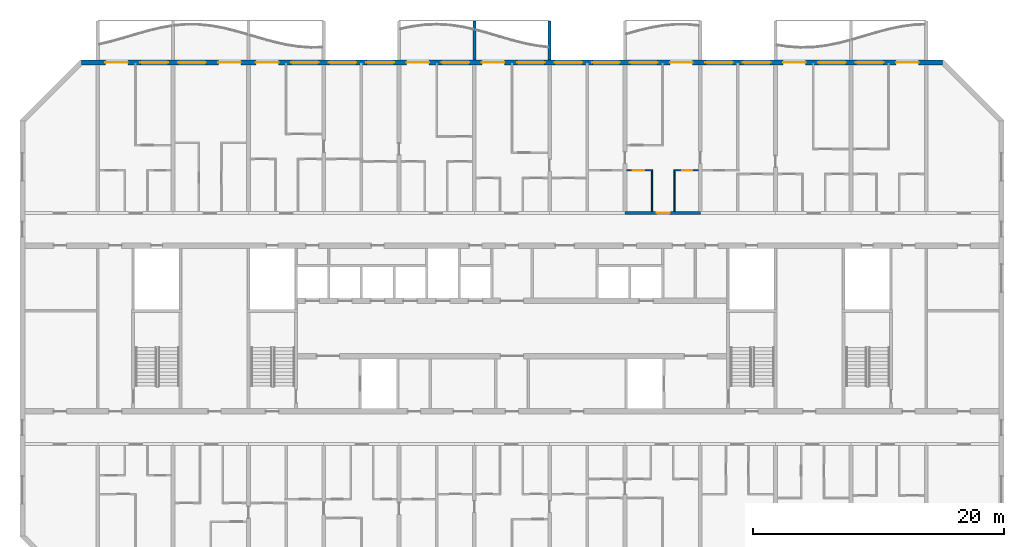
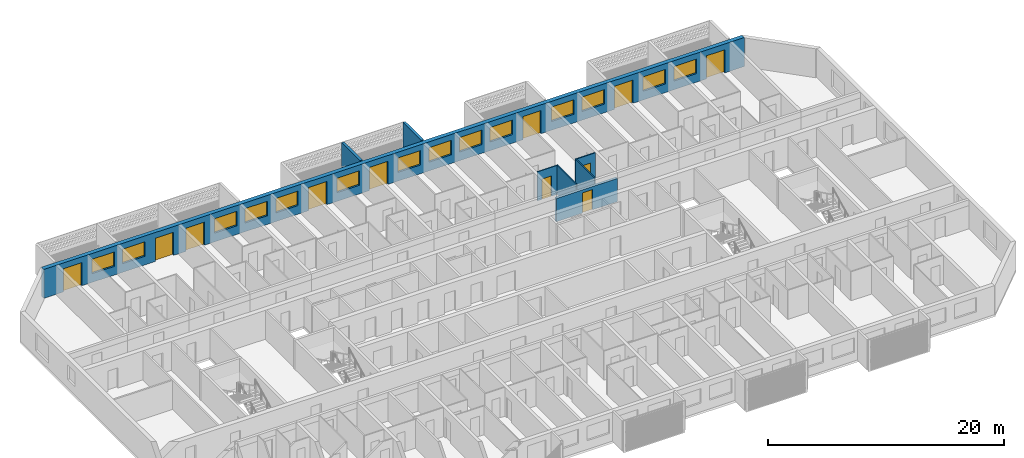
# One storey, part 10 of 32: 14 windows, 11 doors, 8 walls, 25 openings.
"""IFC4 building model written with IfcOpenShell, lengths in metres."""

import ifcopenshell
import ifcopenshell.guid

model = None  # the IFC model being written
_history = None  # IfcOwnerHistory: only IFC2X3 demands one
_inside = {}  # id of a spatial element -> (the spatial element, [elements in it])
_under = {}  # id of a project, library or spatial element -> (it, [spatial elements below it])
_declared = {}  # id of a project -> (the project, [libraries it declares])
_typed = {}  # id of a type object -> (the type object, [elements of that type])
_made_of = {}  # id of a material, layer set ... -> (it, [elements and type objects made of it])


def new_model(schema):
    """Start an empty IFC model of exactly this schema.

    Asked for "IFC4X3", IfcOpenShell would pick the latest addendum, in which some entities
    have other attributes; the version numbers below select the first issue.
    IFC2X3 requires an IfcOwnerHistory on every rooted entity: one is made here for all.
    """
    global model, _history
    if schema == "IFC4X3":
        model = ifcopenshell.file(schema_version=(4, 3, 0, 0))
    else:
        model = ifcopenshell.file(schema=schema)
    _inside.clear()
    _under.clear()
    _declared.clear()
    _typed.clear()
    _made_of.clear()
    _history = None
    if model.schema == "IFC2X3":
        org = make("IfcOrganization", Name="unknown")
        user = make(
            "IfcPersonAndOrganization",
            ThePerson=make("IfcPerson", FamilyName="unknown"),
            TheOrganization=org,
        )
        app = make(
            "IfcApplication",
            ApplicationDeveloper=org,
            Version="unknown",
            ApplicationFullName="unknown",
            ApplicationIdentifier="unknown",
        )
        _history = make(
            "IfcOwnerHistory",
            OwningUser=user,
            OwningApplication=app,
            ChangeAction="ADDED",
            CreationDate=0,
        )
    return model


def make(cls, **values):
    """One entity of the class cls with the attributes given. An attribute that is None is left unset."""
    return model.create_entity(
        cls, **{name: value for name, value in values.items() if value is not None}
    )


def rooted(cls, **values):
    """An entity with a GlobalId (a new one), such as an element, a storey or a relation."""
    return make(cls, GlobalId=ifcopenshell.guid.new(), OwnerHistory=_history, **values)


def si_unit(unit_type, name, prefix=None):
    """IfcSIUnit, for example si_unit("LENGTHUNIT", "METRE", prefix="MILLI")."""
    return make("IfcSIUnit", UnitType=unit_type, Prefix=prefix, Name=name)


def assignment(units):
    """IfcUnitAssignment: the units of a project."""
    return None if units is None else make("IfcUnitAssignment", Units=units)


def point(xyz):
    """IfcCartesianPoint."""
    return None if xyz is None else make("IfcCartesianPoint", Coordinates=xyz)


def direction(xyz):
    """IfcDirection."""
    return None if xyz is None else make("IfcDirection", DirectionRatios=xyz)


def frame(location, z_axis=None, x_axis=None):
    """IfcAxis2Placement3D, a coordinate frame: its origin and axes. An axis left out is left unset."""
    return make(
        "IfcAxis2Placement3D",
        Location=point(location),
        Axis=direction(z_axis),
        RefDirection=direction(x_axis),
    )


def frame_2d(location, x_axis=None):
    """IfcAxis2Placement2D, a coordinate frame in the plane: its origin and x axis."""
    return make(
        "IfcAxis2Placement2D", Location=point(location), RefDirection=direction(x_axis)
    )


def origin():
    """The frame at (0, 0, 0) with its axes left unset."""
    return frame((0.0, 0.0, 0.0))


def place(relative_to, where):
    """IfcLocalPlacement: puts the frame where relative to a parent placement (None: the world)."""
    return make(
        "IfcLocalPlacement", PlacementRelTo=relative_to, RelativePlacement=where
    )


def context(
    kind, dimensions, precision=None, world=None, true_north=None, identifier=None
):
    """IfcGeometricRepresentationContext, for example the 3D "Model" context."""
    return make(
        "IfcGeometricRepresentationContext",
        ContextIdentifier=identifier,
        ContextType=kind,
        CoordinateSpaceDimension=dimensions,
        Precision=precision,
        WorldCoordinateSystem=world,
        TrueNorth=true_north,
    )


def subcontext(parent, identifier, kind, view, scale=None):
    """IfcGeometricRepresentationSubContext, for example "Body" below "Model"."""
    return make(
        "IfcGeometricRepresentationSubContext",
        ContextIdentifier=identifier,
        ContextType=kind,
        ParentContext=parent,
        TargetScale=scale,
        TargetView=view,
    )


def project(units=None, contexts=None):
    """IfcProject with its units and contexts."""
    return rooted(
        "IfcProject",
        Name="project",
        RepresentationContexts=contexts,
        UnitsInContext=assignment(units),
    )


def spatial(cls, under=None, at=None, **own):
    """A site, building, storey or space (cls), placed at a placement, below another one or the project."""
    s = rooted(cls, ObjectPlacement=at, **own)
    if under is not None:
        _under.setdefault(under.id(), (under, []))[1].append(s)
    return s


def polyline(points):
    """IfcPolyline through the points."""
    return make("IfcPolyline", Points=[point(p) for p in points])


def profile(cls, at=None, kind="AREA", **sizes):
    """A parametric profile (cls). Its sizes go by their IFC names, for example OverallWidth=200.0."""
    return make(cls, ProfileType=kind, Position=at, **sizes)


def rectangle(**sizes):
    """IfcRectangleProfileDef."""
    return profile("IfcRectangleProfileDef", **sizes)


def outline(outer, holes=None, kind="AREA"):
    """IfcArbitraryClosedProfileDef: a profile drawn as a closed curve; with holes, ...WithVoids."""
    if holes is None:
        return make("IfcArbitraryClosedProfileDef", ProfileType=kind, OuterCurve=outer)
    return make(
        "IfcArbitraryProfileDefWithVoids",
        ProfileType=kind,
        OuterCurve=outer,
        InnerCurves=holes,
    )


def extrude(swept, where, along, depth):
    """IfcExtrudedAreaSolid: the profile swept, set in the frame where, extruded along a direction by depth."""
    return make(
        "IfcExtrudedAreaSolid",
        SweptArea=swept,
        Position=where,
        ExtrudedDirection=direction(along),
        Depth=depth,
    )


def shape(context_of_items, identifier, shape_type, items):
    """IfcShapeRepresentation: the items that make up one representation, for example the "Body"."""
    return make(
        "IfcShapeRepresentation",
        ContextOfItems=context_of_items,
        RepresentationIdentifier=identifier,
        RepresentationType=shape_type,
        Items=items,
    )


def source(mapping_origin, context_of_items, identifier, shape_type, items):
    """IfcRepresentationMap: a shape defined once, which mapped items show again and again."""
    return make(
        "IfcRepresentationMap",
        MappingOrigin=mapping_origin,
        MappedRepresentation=shape(context_of_items, identifier, shape_type, items),
    )


def transform(
    local_origin,
    x_axis=None,
    y_axis=None,
    z_axis=None,
    scale=None,
    scale2=None,
    scale3=None,
    uniform=True,
):
    """IfcCartesianTransformationOperator3D, or its non-uniform kind. x_axis, y_axis, z_axis: its Axis1, 2, 3."""
    if uniform:
        return make(
            "IfcCartesianTransformationOperator3D",
            Axis1=direction(x_axis),
            Axis2=direction(y_axis),
            LocalOrigin=point(local_origin),
            Scale=scale,
            Axis3=direction(z_axis),
        )
    return make(
        "IfcCartesianTransformationOperator3DnonUniform",
        Axis1=direction(x_axis),
        Axis2=direction(y_axis),
        LocalOrigin=point(local_origin),
        Scale=scale,
        Axis3=direction(z_axis),
        Scale2=scale2,
        Scale3=scale3,
    )


def mapped(mapping_source, mapping_target):
    """IfcMappedItem: shows the shape of a source again, moved by a transform."""
    return make(
        "IfcMappedItem", MappingSource=mapping_source, MappingTarget=mapping_target
    )


def material(Name=None, Category=None):
    """IfcMaterial."""
    return make("IfcMaterial", Name=Name, Category=Category)


def layer(
    of_material, thickness, ventilated=None, Name=None, Category=None, Priority=None
):
    """IfcMaterialLayer: one layer of a wall or slab, of a material (None: an air gap)."""
    return make(
        "IfcMaterialLayer",
        Material=of_material,
        LayerThickness=thickness,
        IsVentilated=ventilated,
        Name=Name,
        Category=Category,
        Priority=Priority,
    )


def layer_set(layers, Name=None):
    """IfcMaterialLayerSet."""
    return make("IfcMaterialLayerSet", MaterialLayers=layers, LayerSetName=Name)


def made_of(thing, what):
    """Note that an element or type object is made of a material, layer set ...; save() writes the relation."""
    if what is not None:
        _made_of.setdefault(what.id(), (what, []))[1].append(thing)
    return thing


def type_object(cls, material=None, **own):
    """A type object (cls), such as IfcWallType, which elements share."""
    return made_of(rooted(cls, **own), material)


def element(
    cls,
    number,
    at=None,
    inside=None,
    cuts=None,
    type_object=None,
    material=None,
    context=None,
    identifier="Body",
    shape_type=None,
    held_by="IfcProductDefinitionShape",
    body=None,
    shapes=None,
    **own,
):
    """One element of the class cls, such as IfcWall. Its Tag is "e" and its number.

    at: its placement. inside: the storey or other place that contains it. cuts: it is an
    opening in that element (IfcRelVoidsElement). A single representation is given by context,
    identifier, shape_type and body (its items); several are given by shapes. held_by: the class
    of the entity that holds the representations. save() writes the other relations.
    """
    e = rooted(cls, Tag="e%d" % number, ObjectPlacement=at, **own)
    if body is not None:
        shapes = [shape(context, identifier, shape_type, body)]
    if shapes is not None:
        e.Representation = make(held_by, Representations=shapes)
    if inside is not None:
        _inside.setdefault(inside.id(), (inside, []))[1].append(e)
    if cuts is not None:
        rooted(
            "IfcRelVoidsElement", RelatingBuildingElement=cuts, RelatedOpeningElement=e
        )
    if type_object is not None:
        _typed.setdefault(type_object.id(), (type_object, []))[1].append(e)
    return made_of(e, material)


def fill(opening, filler):
    """IfcRelFillsElement: the door or window that sits in an opening."""
    return rooted(
        "IfcRelFillsElement",
        RelatingOpeningElement=opening,
        RelatedBuildingElement=filler,
    )


def aggregate(whole, parts):
    """IfcRelAggregates: a whole, such as a stair, and the parts it consists of."""
    return rooted("IfcRelAggregates", RelatingObject=whole, RelatedObjects=parts)


def save(model, path):
    """Write the relations noted so far, then the file.

    IfcRelAggregates (storeys below a building ...), IfcRelContainedInSpatialStructure (elements
    in a storey), IfcRelDefinesByType, IfcRelAssociatesMaterial and IfcRelDeclares: one each for
    every whole, place, type object, material and project.
    """
    for whole, parts in _under.values():
        aggregate(whole, parts)
    for where, things in _inside.values():
        rooted(
            "IfcRelContainedInSpatialStructure",
            RelatedElements=things,
            RelatingStructure=where,
        )
    for kind, things in _typed.values():
        rooted("IfcRelDefinesByType", RelatedObjects=things, RelatingType=kind)
    for what, things in _made_of.values():
        rooted("IfcRelAssociatesMaterial", RelatedObjects=things, RelatingMaterial=what)
    for by, libraries in _declared.values():
        rooted("IfcRelDeclares", RelatingContext=by, RelatedDefinitions=libraries)
    model.write(path)


model = new_model("IFC4")

# Units and contexts
model_context = context("Model", 3, precision=1e-05, world=origin(), true_north=direction((0.0, 1.0)))
body_context = subcontext(model_context, "Body", "Model", "MODEL_VIEW")
ifc_project = project(units=[si_unit("LENGTHUNIT", "METRE"), si_unit("AREAUNIT", "SQUARE_METRE"), si_unit("VOLUMEUNIT", "CUBIC_METRE"), si_unit("PLANEANGLEUNIT", "RADIAN"), si_unit("MASSUNIT", "GRAM", prefix="KILO")], contexts=[model_context])

# Site, building, storey
site_placement = place(None, origin())
site = spatial("IfcSite", under=ifc_project, at=site_placement, CompositionType="ELEMENT")
building_placement = place(site_placement, origin())
building = spatial("IfcBuilding", under=site, at=building_placement, Name="Poui Terraces", CompositionType="ELEMENT")
storey_placement = place(building_placement, frame((0.0, 0.0, 155.39990234375)))
storey = spatial("IfcBuildingStorey", under=building, at=storey_placement, Name="L43", CompositionType="ELEMENT", Elevation=155.39990234375)

# Wall, opening, door
ifc_material_1 = material(Name="Concrete 65 MPa", Category="concrete")
ifc_layer_1 = layer(ifc_material_1, 0.25)
ifc_layer_set_1 = layer_set([ifc_layer_1], Name="Concrete 65 MPa")
wall_type_1 = type_object("IfcWallType", Name="CORRIDOR WALL 250 65MPa", PredefinedType="SHEAR", material=ifc_layer_set_1)
wall_1_placement = place(storey_placement, frame((60.0, 30.39990234375, 0.0), z_axis=(0.0, 0.0, 1.0), x_axis=(1.0, 0.0, 0.0)))
wall_1 = element("IfcWall", 1, at=wall_1_placement, inside=storey, type_object=wall_type_1, Name="CORRIDOR WALL LINE E BAY 9", PredefinedType="SHEAR", context=body_context, shape_type="SweptSolid", body=[
    extrude(rectangle(XDim=6.0, YDim=0.25, at=frame_2d((3.0, 0.0))), origin(), (0.0, 0.0, 1.0), 2.400146484375),
])
opening_1_placement = place(wall_1_placement, frame((2.550048828125, 0.0, 0.0)))
opening_1 = element("IfcOpeningElement", 2, at=opening_1_placement, cuts=wall_1, Name="Opening FD30S", PredefinedType="OPENING", context=body_context, shape_type="SweptSolid", body=[
    extrude(rectangle(XDim=1.0, YDim=2.10009765625, at=frame_2d((0.5, 1.050048828125))), frame((0.0, 0.135009765625, 0.0), z_axis=(0.0, -1.0, 0.0), x_axis=(1.0, 0.0, 0.0)), (0.0, 0.0, 1.0), 0.27001953125),
])
ifc_material_2 = material(Name="Steel fire door", Category="steel")
door_type_1 = type_object("IfcDoorType", Name="FLAT ENTRANCE DOOR 1000 X 2100", OperationType="NOTDEFINED", PredefinedType="DOOR", material=ifc_material_2)
door_1_placement = place(opening_1_placement, origin())
door_1 = element("IfcDoor", 3, at=door_1_placement, inside=storey, type_object=door_type_1, Name="FLAT ENTRANCE DOOR 060", OperationType="SINGLE_SWING_RIGHT", OverallHeight=2.10009765625, OverallWidth=1.0, PredefinedType="DOOR", context=body_context, shape_type="SweptSolid", body=[
    extrude(rectangle(XDim=1.0, YDim=2.10009765625, at=frame_2d((0.5, 1.050048828125))), frame((0.0, 0.02490234375, 0.0), z_axis=(0.0, -1.0, 0.0), x_axis=(1.0, 0.0, 0.0)), (0.0, 0.0, 1.0), 0.050048828125),
])
fill(opening_1, door_1)

# Wall, openings, doors, windows
ifc_material_3 = material(Name="Precast concrete 40 MPa", Category="concrete")
ifc_layer_2 = layer(ifc_material_3, 0.39990234375)
ifc_layer_set_2 = layer_set([ifc_layer_2], Name="Precast concrete 40 MPa")
wall_type_2 = type_object("IfcWallType", Name="EXTERNAL WALL 400", PredefinedType="STANDARD", material=ifc_layer_set_2)
wall_2_placement = place(storey_placement, frame((85.317138671875, 42.39990234375, 0.0), z_axis=(0.0, 0.0, 1.0), x_axis=(-1.0, 0.0, 0.0)))
wall_2 = element("IfcWall", 4, at=wall_2_placement, inside=storey, type_object=wall_type_2, Name="EXTERNAL WALL N", PredefinedType="STANDARD", context=body_context, shape_type="SweptSolid", body=[
    extrude(rectangle(XDim=68.63427734375, YDim=0.39990234375, at=frame_2d((34.317138671875, 0.0))), origin(), (0.0, 0.0, 1.0), 3.0),
])
opening_2_placement = place(wall_2_placement, frame((64.917236328125, 0.0, 0.0)))
opening_2 = element("IfcOpeningElement", 5, at=opening_2_placement, cuts=wall_2, Name="Opening BD1", PredefinedType="OPENING", context=body_context, shape_type="SweptSolid", body=[
    extrude(rectangle(XDim=1.800048828125, YDim=2.39990234375, at=frame_2d((0.89990234375, 1.199951171875))), frame((0.0, 0.2099609375, 0.0), z_axis=(0.0, -1.0, 0.0), x_axis=(1.0, 0.0, 0.0)), (0.0, 0.0, 1.0), 0.419921875),
])
opening_3_placement = place(wall_2_placement, frame((61.71728515625, 0.0, 0.89990234375)))
opening_3 = element("IfcOpeningElement", 6, at=opening_3_placement, cuts=wall_2, Name="Opening W1", PredefinedType="OPENING", context=body_context, shape_type="SweptSolid", body=[
    extrude(rectangle(XDim=2.199951171875, YDim=1.5, at=frame_2d((1.10009765625, 0.75))), frame((0.0, 0.2099609375, 0.0), z_axis=(0.0, -1.0, 0.0), x_axis=(1.0, 0.0, 0.0)), (0.0, 0.0, 1.0), 0.419921875),
])
opening_4_placement = place(wall_2_placement, frame((58.71728515625, 0.0, 0.89990234375)))
opening_4 = element("IfcOpeningElement", 7, at=opening_4_placement, cuts=wall_2, Name="Opening W1", PredefinedType="OPENING", context=body_context, shape_type="SweptSolid", body=[
    extrude(rectangle(XDim=2.199951171875, YDim=1.5, at=frame_2d((1.10009765625, 0.75))), frame((0.0, 0.2099609375, 0.0), z_axis=(0.0, -1.0, 0.0), x_axis=(1.0, 0.0, 0.0)), (0.0, 0.0, 1.0), 0.419921875),
])
opening_5_placement = place(wall_2_placement, frame((55.917236328125, 0.0, 0.0)))
opening_5 = element("IfcOpeningElement", 8, at=opening_5_placement, cuts=wall_2, Name="Opening BD1", PredefinedType="OPENING", context=body_context, shape_type="SweptSolid", body=[
    extrude(rectangle(XDim=1.800048828125, YDim=2.39990234375, at=frame_2d((0.89990234375, 1.199951171875))), frame((0.0, 0.2099609375, 0.0), z_axis=(0.0, -1.0, 0.0), x_axis=(1.0, 0.0, 0.0)), (0.0, 0.0, 1.0), 0.419921875),
])
opening_6_placement = place(wall_2_placement, frame((52.917236328125, 0.0, 0.0)))
opening_6 = element("IfcOpeningElement", 9, at=opening_6_placement, cuts=wall_2, Name="Opening BD1", PredefinedType="OPENING", context=body_context, shape_type="SweptSolid", body=[
    extrude(rectangle(XDim=1.800048828125, YDim=2.39990234375, at=frame_2d((0.89990234375, 1.199951171875))), frame((0.0, 0.2099609375, 0.0), z_axis=(0.0, -1.0, 0.0), x_axis=(1.0, 0.0, 0.0)), (0.0, 0.0, 1.0), 0.419921875),
])
opening_7_placement = place(wall_2_placement, frame((49.71728515625, 0.0, 0.89990234375)))
opening_7 = element("IfcOpeningElement", 10, at=opening_7_placement, cuts=wall_2, Name="Opening W1", PredefinedType="OPENING", context=body_context, shape_type="SweptSolid", body=[
    extrude(rectangle(XDim=2.199951171875, YDim=1.5, at=frame_2d((1.10009765625, 0.75))), frame((0.0, 0.2099609375, 0.0), z_axis=(0.0, -1.0, 0.0), x_axis=(1.0, 0.0, 0.0)), (0.0, 0.0, 1.0), 0.419921875),
])
opening_8_placement = place(wall_2_placement, frame((46.71728515625, 0.0, 0.89990234375)))
opening_8 = element("IfcOpeningElement", 11, at=opening_8_placement, cuts=wall_2, Name="Opening W1", PredefinedType="OPENING", context=body_context, shape_type="SweptSolid", body=[
    extrude(rectangle(XDim=2.199951171875, YDim=1.5, at=frame_2d((1.10009765625, 0.75))), frame((0.0, 0.2099609375, 0.0), z_axis=(0.0, -1.0, 0.0), x_axis=(1.0, 0.0, 0.0)), (0.0, 0.0, 1.0), 0.419921875),
])
opening_9_placement = place(wall_2_placement, frame((43.71728515625, 0.0, 0.89990234375)))
opening_9 = element("IfcOpeningElement", 12, at=opening_9_placement, cuts=wall_2, Name="Opening W1", PredefinedType="OPENING", context=body_context, shape_type="SweptSolid", body=[
    extrude(rectangle(XDim=2.199951171875, YDim=1.5, at=frame_2d((1.10009765625, 0.75))), frame((0.0, 0.2099609375, 0.0), z_axis=(0.0, -1.0, 0.0), x_axis=(1.0, 0.0, 0.0)), (0.0, 0.0, 1.0), 0.419921875),
])
opening_10_placement = place(wall_2_placement, frame((40.917236328125, 0.0, 0.0)))
opening_10 = element("IfcOpeningElement", 13, at=opening_10_placement, cuts=wall_2, Name="Opening BD1", PredefinedType="OPENING", context=body_context, shape_type="SweptSolid", body=[
    extrude(rectangle(XDim=1.800048828125, YDim=2.39990234375, at=frame_2d((0.89990234375, 1.199951171875))), frame((0.0, 0.2099609375, 0.0), z_axis=(0.0, -1.0, 0.0), x_axis=(1.0, 0.0, 0.0)), (0.0, 0.0, 1.0), 0.419921875),
])
opening_11_placement = place(wall_2_placement, frame((37.71728515625, 0.0, 0.89990234375)))
opening_11 = element("IfcOpeningElement", 14, at=opening_11_placement, cuts=wall_2, Name="Opening W1", PredefinedType="OPENING", context=body_context, shape_type="SweptSolid", body=[
    extrude(rectangle(XDim=2.199951171875, YDim=1.5, at=frame_2d((1.10009765625, 0.75))), frame((0.0, 0.2099609375, 0.0), z_axis=(0.0, -1.0, 0.0), x_axis=(1.0, 0.0, 0.0)), (0.0, 0.0, 1.0), 0.419921875),
])
opening_12_placement = place(wall_2_placement, frame((34.917236328125, 0.0, 0.0)))
opening_12 = element("IfcOpeningElement", 15, at=opening_12_placement, cuts=wall_2, Name="Opening BD1", PredefinedType="OPENING", context=body_context, shape_type="SweptSolid", body=[
    extrude(rectangle(XDim=1.800048828125, YDim=2.39990234375, at=frame_2d((0.89990234375, 1.199951171875))), frame((0.0, 0.2099609375, 0.0), z_axis=(0.0, -1.0, 0.0), x_axis=(1.0, 0.0, 0.0)), (0.0, 0.0, 1.0), 0.419921875),
])
opening_13_placement = place(wall_2_placement, frame((31.71728515625, 0.0, 0.89990234375)))
opening_13 = element("IfcOpeningElement", 16, at=opening_13_placement, cuts=wall_2, Name="Opening W1", PredefinedType="OPENING", context=body_context, shape_type="SweptSolid", body=[
    extrude(rectangle(XDim=2.199951171875, YDim=1.5, at=frame_2d((1.10009765625, 0.75))), frame((0.0, 0.2099609375, 0.0), z_axis=(0.0, -1.0, 0.0), x_axis=(1.0, 0.0, 0.0)), (0.0, 0.0, 1.0), 0.419921875),
])
opening_14_placement = place(wall_2_placement, frame((28.71728515625, 0.0, 0.89990234375)))
opening_14 = element("IfcOpeningElement", 17, at=opening_14_placement, cuts=wall_2, Name="Opening W1", PredefinedType="OPENING", context=body_context, shape_type="SweptSolid", body=[
    extrude(rectangle(XDim=2.199951171875, YDim=1.5, at=frame_2d((1.10009765625, 0.75))), frame((0.0, 0.2099609375, 0.0), z_axis=(0.0, -1.0, 0.0), x_axis=(1.0, 0.0, 0.0)), (0.0, 0.0, 1.0), 0.419921875),
])
opening_15_placement = place(wall_2_placement, frame((25.71728515625, 0.0, 0.89990234375)))
opening_15 = element("IfcOpeningElement", 18, at=opening_15_placement, cuts=wall_2, Name="Opening W1", PredefinedType="OPENING", context=body_context, shape_type="SweptSolid", body=[
    extrude(rectangle(XDim=2.199951171875, YDim=1.5, at=frame_2d((1.10009765625, 0.75))), frame((0.0, 0.2099609375, 0.0), z_axis=(0.0, -1.0, 0.0), x_axis=(1.0, 0.0, 0.0)), (0.0, 0.0, 1.0), 0.419921875),
])
opening_16_placement = place(wall_2_placement, frame((22.71728515625, 0.0, 0.89990234375)))
opening_16 = element("IfcOpeningElement", 19, at=opening_16_placement, cuts=wall_2, Name="Opening W1", PredefinedType="OPENING", context=body_context, shape_type="SweptSolid", body=[
    extrude(rectangle(XDim=2.199951171875, YDim=1.5, at=frame_2d((1.10009765625, 0.75))), frame((0.0, 0.2099609375, 0.0), z_axis=(0.0, -1.0, 0.0), x_axis=(1.0, 0.0, 0.0)), (0.0, 0.0, 1.0), 0.419921875),
])
opening_17_placement = place(wall_2_placement, frame((19.917236328125, 0.0, 0.0)))
opening_17 = element("IfcOpeningElement", 20, at=opening_17_placement, cuts=wall_2, Name="Opening BD1", PredefinedType="OPENING", context=body_context, shape_type="SweptSolid", body=[
    extrude(rectangle(XDim=1.800048828125, YDim=2.39990234375, at=frame_2d((0.89990234375, 1.199951171875))), frame((0.0, 0.2099609375, 0.0), z_axis=(0.0, -1.0, 0.0), x_axis=(1.0, 0.0, 0.0)), (0.0, 0.0, 1.0), 0.419921875),
])
opening_18_placement = place(wall_2_placement, frame((16.71728515625, 0.0, 0.89990234375)))
opening_18 = element("IfcOpeningElement", 21, at=opening_18_placement, cuts=wall_2, Name="Opening W1", PredefinedType="OPENING", context=body_context, shape_type="SweptSolid", body=[
    extrude(rectangle(XDim=2.199951171875, YDim=1.5, at=frame_2d((1.10009765625, 0.75))), frame((0.0, 0.2099609375, 0.0), z_axis=(0.0, -1.0, 0.0), x_axis=(1.0, 0.0, 0.0)), (0.0, 0.0, 1.0), 0.419921875),
])
opening_19_placement = place(wall_2_placement, frame((13.71728515625, 0.0, 0.89990234375)))
opening_19 = element("IfcOpeningElement", 22, at=opening_19_placement, cuts=wall_2, Name="Opening W1", PredefinedType="OPENING", context=body_context, shape_type="SweptSolid", body=[
    extrude(rectangle(XDim=2.199951171875, YDim=1.5, at=frame_2d((1.10009765625, 0.75))), frame((0.0, 0.2099609375, 0.0), z_axis=(0.0, -1.0, 0.0), x_axis=(1.0, 0.0, 0.0)), (0.0, 0.0, 1.0), 0.419921875),
])
opening_20_placement = place(wall_2_placement, frame((10.917236328125, 0.0, 0.0)))
opening_20 = element("IfcOpeningElement", 23, at=opening_20_placement, cuts=wall_2, Name="Opening BD1", PredefinedType="OPENING", context=body_context, shape_type="SweptSolid", body=[
    extrude(rectangle(XDim=1.800048828125, YDim=2.39990234375, at=frame_2d((0.89990234375, 1.199951171875))), frame((0.0, 0.2099609375, 0.0), z_axis=(0.0, -1.0, 0.0), x_axis=(1.0, 0.0, 0.0)), (0.0, 0.0, 1.0), 0.419921875),
])
opening_21_placement = place(wall_2_placement, frame((7.71728515625, 0.0, 0.89990234375)))
opening_21 = element("IfcOpeningElement", 24, at=opening_21_placement, cuts=wall_2, Name="Opening W1", PredefinedType="OPENING", context=body_context, shape_type="SweptSolid", body=[
    extrude(rectangle(XDim=2.199951171875, YDim=1.5, at=frame_2d((1.10009765625, 0.75))), frame((0.0, 0.2099609375, 0.0), z_axis=(0.0, -1.0, 0.0), x_axis=(1.0, 0.0, 0.0)), (0.0, 0.0, 1.0), 0.419921875),
])
opening_22_placement = place(wall_2_placement, frame((4.71728515625, 0.0, 0.89990234375)))
opening_22 = element("IfcOpeningElement", 25, at=opening_22_placement, cuts=wall_2, Name="Opening W1", PredefinedType="OPENING", context=body_context, shape_type="SweptSolid", body=[
    extrude(rectangle(XDim=2.199951171875, YDim=1.5, at=frame_2d((1.10009765625, 0.75))), frame((0.0, 0.2099609375, 0.0), z_axis=(0.0, -1.0, 0.0), x_axis=(1.0, 0.0, 0.0)), (0.0, 0.0, 1.0), 0.419921875),
])
opening_23_placement = place(wall_2_placement, frame((1.917236328125, 0.0, 0.0)))
opening_23 = element("IfcOpeningElement", 26, at=opening_23_placement, cuts=wall_2, Name="Opening BD1", PredefinedType="OPENING", context=body_context, shape_type="SweptSolid", body=[
    extrude(rectangle(XDim=1.800048828125, YDim=2.39990234375, at=frame_2d((0.89990234375, 1.199951171875))), frame((0.0, 0.2099609375, 0.0), z_axis=(0.0, -1.0, 0.0), x_axis=(1.0, 0.0, 0.0)), (0.0, 0.0, 1.0), 0.419921875),
])
ifc_material_4 = material(Name="Clear glass in aluminium frame", Category="aluminium")
door_type_2 = type_object("IfcDoorType", Name="BALCONY DOOR 1800X2400", OperationType="DOUBLE_DOOR_SLIDING", PredefinedType="DOOR", material=ifc_material_4)
door_2_placement = place(opening_2_placement, origin())
door_2 = element("IfcDoor", 27, at=door_2_placement, inside=storey, type_object=door_type_2, Name="BD1 BALCONY DOOR", OperationType="DOUBLE_DOOR_SLIDING", OverallHeight=2.39990234375, OverallWidth=1.800048828125, PredefinedType="DOOR", context=body_context, shape_type="SweptSolid", body=[
    extrude(rectangle(XDim=1.800048828125, YDim=2.39990234375, at=frame_2d((0.89990234375, 1.199951171875))), frame((0.0, 0.02490234375, 0.0), z_axis=(0.0, -1.0, 0.0), x_axis=(1.0, 0.0, 0.0)), (0.0, 0.0, 1.0), 0.050048828125),
])
fill(opening_2, door_2)
door_3_placement = place(opening_5_placement, origin())
door_3 = element("IfcDoor", 28, at=door_3_placement, inside=storey, type_object=door_type_2, Name="BD1 BALCONY DOOR", OperationType="DOUBLE_DOOR_SLIDING", OverallHeight=2.39990234375, OverallWidth=1.800048828125, PredefinedType="DOOR", context=body_context, shape_type="SweptSolid", body=[
    extrude(rectangle(XDim=1.800048828125, YDim=2.39990234375, at=frame_2d((0.89990234375, 1.199951171875))), frame((0.0, 0.02490234375, 0.0), z_axis=(0.0, -1.0, 0.0), x_axis=(1.0, 0.0, 0.0)), (0.0, 0.0, 1.0), 0.050048828125),
])
fill(opening_5, door_3)
door_4_placement = place(opening_6_placement, origin())
door_4 = element("IfcDoor", 29, at=door_4_placement, inside=storey, type_object=door_type_2, Name="BD1 BALCONY DOOR", OperationType="DOUBLE_DOOR_SLIDING", OverallHeight=2.39990234375, OverallWidth=1.800048828125, PredefinedType="DOOR", context=body_context, shape_type="SweptSolid", body=[
    extrude(rectangle(XDim=1.800048828125, YDim=2.39990234375, at=frame_2d((0.89990234375, 1.199951171875))), frame((0.0, 0.02490234375, 0.0), z_axis=(0.0, -1.0, 0.0), x_axis=(1.0, 0.0, 0.0)), (0.0, 0.0, 1.0), 0.050048828125),
])
fill(opening_6, door_4)
door_5_placement = place(opening_10_placement, origin())
door_5 = element("IfcDoor", 30, at=door_5_placement, inside=storey, type_object=door_type_2, Name="BD1 BALCONY DOOR", OperationType="DOUBLE_DOOR_SLIDING", OverallHeight=2.39990234375, OverallWidth=1.800048828125, PredefinedType="DOOR", context=body_context, shape_type="SweptSolid", body=[
    extrude(rectangle(XDim=1.800048828125, YDim=2.39990234375, at=frame_2d((0.89990234375, 1.199951171875))), frame((0.0, 0.02490234375, 0.0), z_axis=(0.0, -1.0, 0.0), x_axis=(1.0, 0.0, 0.0)), (0.0, 0.0, 1.0), 0.050048828125),
])
fill(opening_10, door_5)
door_6_placement = place(opening_12_placement, origin())
door_6 = element("IfcDoor", 31, at=door_6_placement, inside=storey, type_object=door_type_2, Name="BD1 BALCONY DOOR", OperationType="DOUBLE_DOOR_SLIDING", OverallHeight=2.39990234375, OverallWidth=1.800048828125, PredefinedType="DOOR", context=body_context, shape_type="SweptSolid", body=[
    extrude(rectangle(XDim=1.800048828125, YDim=2.39990234375, at=frame_2d((0.89990234375, 1.199951171875))), frame((0.0, 0.02490234375, 0.0), z_axis=(0.0, -1.0, 0.0), x_axis=(1.0, 0.0, 0.0)), (0.0, 0.0, 1.0), 0.050048828125),
])
fill(opening_12, door_6)
door_7_placement = place(opening_17_placement, origin())
door_7 = element("IfcDoor", 32, at=door_7_placement, inside=storey, type_object=door_type_2, Name="BD1 BALCONY DOOR", OperationType="DOUBLE_DOOR_SLIDING", OverallHeight=2.39990234375, OverallWidth=1.800048828125, PredefinedType="DOOR", context=body_context, shape_type="SweptSolid", body=[
    extrude(rectangle(XDim=1.800048828125, YDim=2.39990234375, at=frame_2d((0.89990234375, 1.199951171875))), frame((0.0, 0.02490234375, 0.0), z_axis=(0.0, -1.0, 0.0), x_axis=(1.0, 0.0, 0.0)), (0.0, 0.0, 1.0), 0.050048828125),
])
fill(opening_17, door_7)
door_8_placement = place(opening_20_placement, origin())
door_8 = element("IfcDoor", 33, at=door_8_placement, inside=storey, type_object=door_type_2, Name="BD1 BALCONY DOOR", OperationType="DOUBLE_DOOR_SLIDING", OverallHeight=2.39990234375, OverallWidth=1.800048828125, PredefinedType="DOOR", context=body_context, shape_type="SweptSolid", body=[
    extrude(rectangle(XDim=1.800048828125, YDim=2.39990234375, at=frame_2d((0.89990234375, 1.199951171875))), frame((0.0, 0.02490234375, 0.0), z_axis=(0.0, -1.0, 0.0), x_axis=(1.0, 0.0, 0.0)), (0.0, 0.0, 1.0), 0.050048828125),
])
fill(opening_20, door_8)
door_9_placement = place(opening_23_placement, origin())
door_9 = element("IfcDoor", 34, at=door_9_placement, inside=storey, type_object=door_type_2, Name="BD1 BALCONY DOOR", OperationType="DOUBLE_DOOR_SLIDING", OverallHeight=2.39990234375, OverallWidth=1.800048828125, PredefinedType="DOOR", context=body_context, shape_type="SweptSolid", body=[
    extrude(rectangle(XDim=1.800048828125, YDim=2.39990234375, at=frame_2d((0.89990234375, 1.199951171875))), frame((0.0, 0.02490234375, 0.0), z_axis=(0.0, -1.0, 0.0), x_axis=(1.0, 0.0, 0.0)), (0.0, 0.0, 1.0), 0.050048828125),
])
fill(opening_23, door_9)
window_type = type_object("IfcWindowType", Name="WINDOW 2200X1500", PartitioningType="DOUBLE_PANEL_HORIZONTAL", PredefinedType="WINDOW", material=ifc_material_4)
window_1_placement = place(opening_3_placement, origin())
window_1 = element("IfcWindow", 35, at=window_1_placement, inside=storey, type_object=window_type, Name="W1 WINDOW", OverallHeight=1.5, OverallWidth=2.199951171875, PartitioningType="DOUBLE_PANEL_HORIZONTAL", PredefinedType="WINDOW", context=body_context, shape_type="SweptSolid", body=[
    extrude(rectangle(XDim=2.199951171875, YDim=1.5, at=frame_2d((1.10009765625, 0.75))), frame((0.0, 0.030029296875, 0.0), z_axis=(0.0, -1.0, 0.0), x_axis=(1.0, 0.0, 0.0)), (0.0, 0.0, 1.0), 0.06005859375),
])
fill(opening_3, window_1)
window_2_placement = place(opening_4_placement, origin())
window_2 = element("IfcWindow", 36, at=window_2_placement, inside=storey, type_object=window_type, Name="W1 WINDOW", OverallHeight=1.5, OverallWidth=2.199951171875, PartitioningType="DOUBLE_PANEL_HORIZONTAL", PredefinedType="WINDOW", context=body_context, shape_type="SweptSolid", body=[
    extrude(rectangle(XDim=2.199951171875, YDim=1.5, at=frame_2d((1.10009765625, 0.75))), frame((0.0, 0.030029296875, 0.0), z_axis=(0.0, -1.0, 0.0), x_axis=(1.0, 0.0, 0.0)), (0.0, 0.0, 1.0), 0.06005859375),
])
fill(opening_4, window_2)
window_3_placement = place(opening_7_placement, origin())
window_3 = element("IfcWindow", 37, at=window_3_placement, inside=storey, type_object=window_type, Name="W1 WINDOW", OverallHeight=1.5, OverallWidth=2.199951171875, PartitioningType="DOUBLE_PANEL_HORIZONTAL", PredefinedType="WINDOW", context=body_context, shape_type="SweptSolid", body=[
    extrude(rectangle(XDim=2.199951171875, YDim=1.5, at=frame_2d((1.10009765625, 0.75))), frame((0.0, 0.030029296875, 0.0), z_axis=(0.0, -1.0, 0.0), x_axis=(1.0, 0.0, 0.0)), (0.0, 0.0, 1.0), 0.06005859375),
])
fill(opening_7, window_3)
window_4_placement = place(opening_8_placement, origin())
window_4 = element("IfcWindow", 38, at=window_4_placement, inside=storey, type_object=window_type, Name="W1 WINDOW", OverallHeight=1.5, OverallWidth=2.199951171875, PartitioningType="DOUBLE_PANEL_HORIZONTAL", PredefinedType="WINDOW", context=body_context, shape_type="SweptSolid", body=[
    extrude(rectangle(XDim=2.199951171875, YDim=1.5, at=frame_2d((1.10009765625, 0.75))), frame((0.0, 0.030029296875, 0.0), z_axis=(0.0, -1.0, 0.0), x_axis=(1.0, 0.0, 0.0)), (0.0, 0.0, 1.0), 0.06005859375),
])
fill(opening_8, window_4)
window_5_placement = place(opening_9_placement, origin())
window_5 = element("IfcWindow", 39, at=window_5_placement, inside=storey, type_object=window_type, Name="W1 WINDOW", OverallHeight=1.5, OverallWidth=2.199951171875, PartitioningType="DOUBLE_PANEL_HORIZONTAL", PredefinedType="WINDOW", context=body_context, shape_type="SweptSolid", body=[
    extrude(rectangle(XDim=2.199951171875, YDim=1.5, at=frame_2d((1.10009765625, 0.75))), frame((0.0, 0.030029296875, 0.0), z_axis=(0.0, -1.0, 0.0), x_axis=(1.0, 0.0, 0.0)), (0.0, 0.0, 1.0), 0.06005859375),
])
fill(opening_9, window_5)
window_6_placement = place(opening_11_placement, origin())
window_6 = element("IfcWindow", 40, at=window_6_placement, inside=storey, type_object=window_type, Name="W1 WINDOW", OverallHeight=1.5, OverallWidth=2.199951171875, PartitioningType="DOUBLE_PANEL_HORIZONTAL", PredefinedType="WINDOW", context=body_context, shape_type="SweptSolid", body=[
    extrude(rectangle(XDim=2.199951171875, YDim=1.5, at=frame_2d((1.10009765625, 0.75))), frame((0.0, 0.030029296875, 0.0), z_axis=(0.0, -1.0, 0.0), x_axis=(1.0, 0.0, 0.0)), (0.0, 0.0, 1.0), 0.06005859375),
])
fill(opening_11, window_6)
window_7_placement = place(opening_13_placement, origin())
window_7 = element("IfcWindow", 41, at=window_7_placement, inside=storey, type_object=window_type, Name="W1 WINDOW", OverallHeight=1.5, OverallWidth=2.199951171875, PartitioningType="DOUBLE_PANEL_HORIZONTAL", PredefinedType="WINDOW", context=body_context, shape_type="SweptSolid", body=[
    extrude(rectangle(XDim=2.199951171875, YDim=1.5, at=frame_2d((1.10009765625, 0.75))), frame((0.0, 0.030029296875, 0.0), z_axis=(0.0, -1.0, 0.0), x_axis=(1.0, 0.0, 0.0)), (0.0, 0.0, 1.0), 0.06005859375),
])
fill(opening_13, window_7)
window_8_placement = place(opening_14_placement, origin())
window_8 = element("IfcWindow", 42, at=window_8_placement, inside=storey, type_object=window_type, Name="W1 WINDOW", OverallHeight=1.5, OverallWidth=2.199951171875, PartitioningType="DOUBLE_PANEL_HORIZONTAL", PredefinedType="WINDOW", context=body_context, shape_type="SweptSolid", body=[
    extrude(rectangle(XDim=2.199951171875, YDim=1.5, at=frame_2d((1.10009765625, 0.75))), frame((0.0, 0.030029296875, 0.0), z_axis=(0.0, -1.0, 0.0), x_axis=(1.0, 0.0, 0.0)), (0.0, 0.0, 1.0), 0.06005859375),
])
fill(opening_14, window_8)
window_9_placement = place(opening_15_placement, origin())
window_9 = element("IfcWindow", 43, at=window_9_placement, inside=storey, type_object=window_type, Name="W1 WINDOW", OverallHeight=1.5, OverallWidth=2.199951171875, PartitioningType="DOUBLE_PANEL_HORIZONTAL", PredefinedType="WINDOW", context=body_context, shape_type="SweptSolid", body=[
    extrude(rectangle(XDim=2.199951171875, YDim=1.5, at=frame_2d((1.10009765625, 0.75))), frame((0.0, 0.030029296875, 0.0), z_axis=(0.0, -1.0, 0.0), x_axis=(1.0, 0.0, 0.0)), (0.0, 0.0, 1.0), 0.06005859375),
])
fill(opening_15, window_9)
window_10_placement = place(opening_16_placement, origin())
window_10 = element("IfcWindow", 44, at=window_10_placement, inside=storey, type_object=window_type, Name="W1 WINDOW", OverallHeight=1.5, OverallWidth=2.199951171875, PartitioningType="DOUBLE_PANEL_HORIZONTAL", PredefinedType="WINDOW", context=body_context, shape_type="SweptSolid", body=[
    extrude(rectangle(XDim=2.199951171875, YDim=1.5, at=frame_2d((1.10009765625, 0.75))), frame((0.0, 0.030029296875, 0.0), z_axis=(0.0, -1.0, 0.0), x_axis=(1.0, 0.0, 0.0)), (0.0, 0.0, 1.0), 0.06005859375),
])
fill(opening_16, window_10)
window_11_placement = place(opening_18_placement, origin())
window_11 = element("IfcWindow", 45, at=window_11_placement, inside=storey, type_object=window_type, Name="W1 WINDOW", OverallHeight=1.5, OverallWidth=2.199951171875, PartitioningType="DOUBLE_PANEL_HORIZONTAL", PredefinedType="WINDOW", context=body_context, shape_type="SweptSolid", body=[
    extrude(rectangle(XDim=2.199951171875, YDim=1.5, at=frame_2d((1.10009765625, 0.75))), frame((0.0, 0.030029296875, 0.0), z_axis=(0.0, -1.0, 0.0), x_axis=(1.0, 0.0, 0.0)), (0.0, 0.0, 1.0), 0.06005859375),
])
fill(opening_18, window_11)
window_12_placement = place(opening_19_placement, origin())
window_12 = element("IfcWindow", 46, at=window_12_placement, inside=storey, type_object=window_type, Name="W1 WINDOW", OverallHeight=1.5, OverallWidth=2.199951171875, PartitioningType="DOUBLE_PANEL_HORIZONTAL", PredefinedType="WINDOW", context=body_context, shape_type="SweptSolid", body=[
    extrude(rectangle(XDim=2.199951171875, YDim=1.5, at=frame_2d((1.10009765625, 0.75))), frame((0.0, 0.030029296875, 0.0), z_axis=(0.0, -1.0, 0.0), x_axis=(1.0, 0.0, 0.0)), (0.0, 0.0, 1.0), 0.06005859375),
])
fill(opening_19, window_12)
window_13_placement = place(opening_21_placement, origin())
window_13 = element("IfcWindow", 47, at=window_13_placement, inside=storey, type_object=window_type, Name="W1 WINDOW", OverallHeight=1.5, OverallWidth=2.199951171875, PartitioningType="DOUBLE_PANEL_HORIZONTAL", PredefinedType="WINDOW", context=body_context, shape_type="SweptSolid", body=[
    extrude(rectangle(XDim=2.199951171875, YDim=1.5, at=frame_2d((1.10009765625, 0.75))), frame((0.0, 0.030029296875, 0.0), z_axis=(0.0, -1.0, 0.0), x_axis=(1.0, 0.0, 0.0)), (0.0, 0.0, 1.0), 0.06005859375),
])
fill(opening_21, window_13)
window_14_placement = place(opening_22_placement, origin())
window_14 = element("IfcWindow", 48, at=window_14_placement, inside=storey, type_object=window_type, Name="W1 WINDOW", OverallHeight=1.5, OverallWidth=2.199951171875, PartitioningType="DOUBLE_PANEL_HORIZONTAL", PredefinedType="WINDOW", context=body_context, shape_type="SweptSolid", body=[
    extrude(rectangle(XDim=2.199951171875, YDim=1.5, at=frame_2d((1.10009765625, 0.75))), frame((0.0, 0.030029296875, 0.0), z_axis=(0.0, -1.0, 0.0), x_axis=(1.0, 0.0, 0.0)), (0.0, 0.0, 1.0), 0.06005859375),
])
fill(opening_22, window_14)

# Wall, opening, door
ifc_material_5 = material(Name="Plasterboard partition")
ifc_layer_3 = layer(ifc_material_5, 0.10009765625)
ifc_layer_set_3 = layer_set([ifc_layer_3], Name="Plasterboard partition")
wall_type_3 = type_object("IfcWallType", Name="FLAT PARTITION 100", PredefinedType="PARTITIONING", material=ifc_layer_set_3)
wall_3_placement = place(storey_placement, frame((60.159912109375, 33.800048828125, 0.0), z_axis=(0.0, 0.0, 1.0), x_axis=(1.0, 0.0, 0.0)))
wall_3 = element("IfcWall", 49, at=wall_3_placement, inside=storey, type_object=wall_type_3, Name="FLAT PARTITION 100", PredefinedType="PARTITIONING", context=body_context, shape_type="SweptSolid", body=[
    extrude(rectangle(XDim=2.0400390625, YDim=0.10009765625, at=frame_2d((1.02001953125, 0.0))), origin(), (0.0, 0.0, 1.0), 3.0),
])
opening_24_placement = place(wall_3_placement, frame((0.465087890625, 0.0, 0.0)))
opening_24 = element("IfcOpeningElement", 50, at=opening_24_placement, cuts=wall_3, Name="Opening D90", PredefinedType="OPENING", context=body_context, shape_type="SweptSolid", body=[
    extrude(rectangle(XDim=0.89990234375, YDim=2.10009765625, at=frame_2d((0.449951171875, 1.050048828125))), frame((0.0, 0.06005859375, 0.0), z_axis=(0.0, -1.0, 0.0), x_axis=(1.0, 0.0, 0.0)), (0.0, 0.0, 1.0), 0.1201171875),
])
ifc_material_6 = material(Name="Solid core timber door", Category="wood")
door_type_3 = type_object("IfcDoorType", Name="INTERNAL DOOR 900 X 2100", OperationType="NOTDEFINED", PredefinedType="DOOR", material=ifc_material_6)
door_10_placement = place(opening_24_placement, frame((0.89990234375, 0.0, 0.0), z_axis=(0.0, 0.0, 1.0), x_axis=(-1.0, 0.0, 0.0)))
door_10 = element("IfcDoor", 51, at=door_10_placement, inside=storey, type_object=door_type_3, Name="INTERNAL DOOR 059", OperationType="SINGLE_SWING_RIGHT", OverallHeight=2.10009765625, OverallWidth=0.89990234375, PredefinedType="DOOR", context=body_context, shape_type="SweptSolid", body=[
    extrude(rectangle(XDim=0.89990234375, YDim=2.10009765625, at=frame_2d((0.449951171875, 1.050048828125))), frame((0.0, 0.02490234375, 0.0), z_axis=(0.0, -1.0, 0.0), x_axis=(1.0, 0.0, 0.0)), (0.0, 0.0, 1.0), 0.050048828125),
])
fill(opening_24, door_10)

wall_4_placement = place(storey_placement, frame((63.89990234375, 33.800048828125, 0.0), z_axis=(0.0, 0.0, 1.0), x_axis=(1.0, 0.0, 0.0)))
wall_4 = element("IfcWall", 52, at=wall_4_placement, inside=storey, type_object=wall_type_3, Name="FLAT PARTITION 100", PredefinedType="PARTITIONING", context=body_context, shape_type="SweptSolid", body=[
    extrude(rectangle(XDim=1.940185546875, YDim=0.10009765625, at=frame_2d((0.97021484375, 0.0))), origin(), (0.0, 0.0, 1.0), 3.0),
])
opening_25_placement = place(wall_4_placement, frame((0.675048828125, 0.0, 0.0)))
opening_25 = element("IfcOpeningElement", 53, at=opening_25_placement, cuts=wall_4, Name="Opening D80", PredefinedType="OPENING", context=body_context, shape_type="SweptSolid", body=[
    extrude(rectangle(XDim=0.800048828125, YDim=2.10009765625, at=frame_2d((0.39990234375, 1.050048828125))), frame((0.0, 0.06005859375, 0.0), z_axis=(0.0, -1.0, 0.0), x_axis=(1.0, 0.0, 0.0)), (0.0, 0.0, 1.0), 0.1201171875),
])
door_type_4 = type_object("IfcDoorType", Name="BATHROOM, LAUNDRY AND STORE DOOR 800 X 2100", OperationType="NOTDEFINED", PredefinedType="DOOR", material=ifc_material_6)
door_11_placement = place(opening_25_placement, frame((0.800048828125, 0.0, 0.0), z_axis=(0.0, 0.0, 1.0), x_axis=(-1.0, 0.0, 0.0)))
door_11 = element("IfcDoor", 54, at=door_11_placement, inside=storey, type_object=door_type_4, Name="BATHROOM, LAUNDRY AND STORE DOOR 061", OperationType="SINGLE_SWING_LEFT", OverallHeight=2.10009765625, OverallWidth=0.800048828125, PredefinedType="DOOR", context=body_context, shape_type="SweptSolid", body=[
    extrude(rectangle(XDim=0.800048828125, YDim=2.10009765625, at=frame_2d((0.39990234375, 1.050048828125))), frame((0.0, 0.02490234375, 0.0), z_axis=(0.0, -1.0, 0.0), x_axis=(1.0, 0.0, 0.0)), (0.0, 0.0, 1.0), 0.050048828125),
])
fill(opening_25, door_11)

# Walls
for number, where, z_axis, x_axis, name in (
    (55, (62.14990234375, 30.534912109375, 0.0), (0.0, 0.0, 1.0), (0.0, 1.0, 0.0), "FLAT PARTITION 100"),
    (56, (63.949951171875, 30.534912109375, 0.0), (0.0, 0.0, 1.0), (0.0, 1.0, 0.0), "FLAT PARTITION 100"),
):
    element("IfcWall", number, at=place(storey_placement, frame(where, z_axis=z_axis, x_axis=x_axis)), inside=storey, type_object=wall_type_3, Name=name, PredefinedType="PARTITIONING", context=body_context, shape_type="SweptSolid", body=[
        extrude(rectangle(XDim=3.215087890625, YDim=0.10009765625, at=frame_2d((1.607421875, 0.0))), origin(), (0.0, 0.0, 1.0), 3.0),
    ])
ifc_layer_4 = layer(ifc_material_3, 0.25)
ifc_layer_set_4 = layer_set([ifc_layer_4], Name="Precast concrete 40 MPa")
wall_type_4 = type_object("IfcWallType", Name="BALCONY FIN 250", PredefinedType="STANDARD", material=ifc_layer_set_4)
shared_shape = source(origin(), body_context, "Body", "SweptSolid", [
    extrude(outline(polyline([(0.0, 0.0), (0.25, 0.0), (0.25, 3.099853515625), (0.0, 3.099853515625), (0.0, 0.0)])), origin(), (0.0, 0.0, 1.0), 3.10009765625),
])
for number, where, name in (
    (57, (47.875, 42.60009765625, 0.0), "BALCONY FIN"),
    (58, (53.875, 42.60009765625, 0.0), "BALCONY FIN"),
):
    element("IfcWall", number, at=place(storey_placement, frame(where)), inside=storey, type_object=wall_type_4, Name=name, PredefinedType="STANDARD", context=body_context, shape_type="MappedRepresentation", body=[
        mapped(shared_shape, transform((0.0, 0.0, 0.0))),
    ])

save(model, "model.ifc")
